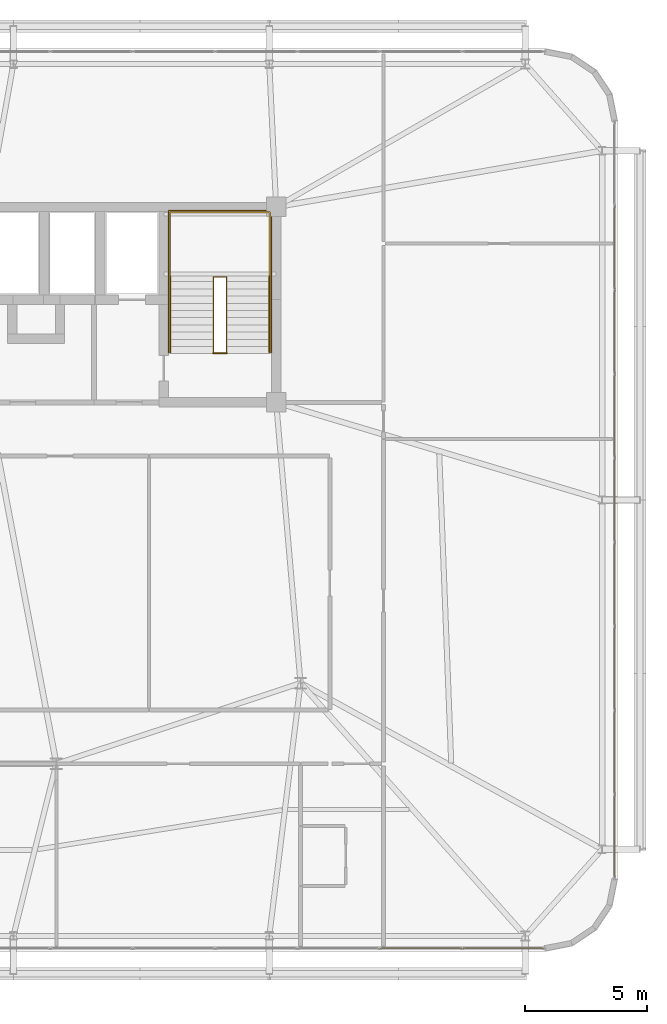
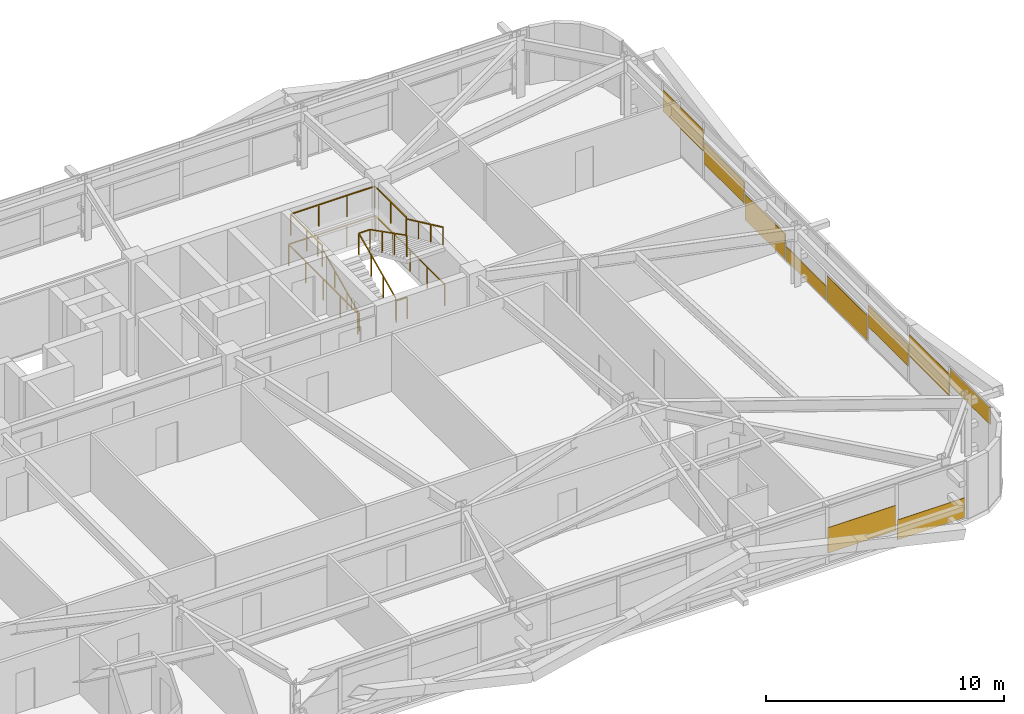
# One storey, part 57 of 58: 10 coverings, 6 railings.
"""IFC4 building model written with IfcOpenShell, lengths in metres."""

from ifc_helpers import new_model, si_unit, direction, frame, origin, origin_2d, place, context, subcontext, project, spatial, rectangle, extrude, source, transform, mapped, material, layer, layer_set, type_object, element, save


model = new_model("IFC4")

# Units and contexts
model_context = context("Model", 3, precision=1e-05, world=origin(), true_north=direction((0.0, 1.0)))
body_context = subcontext(model_context, "Body", "Model", "MODEL_VIEW")
ifc_project = project(units=[si_unit("LENGTHUNIT", "METRE"), si_unit("AREAUNIT", "SQUARE_METRE"), si_unit("VOLUMEUNIT", "CUBIC_METRE"), si_unit("PLANEANGLEUNIT", "RADIAN"), si_unit("MASSUNIT", "GRAM", prefix="KILO")], contexts=[model_context])

# Site, building, storey
site_placement = place(None, origin())
site = spatial("IfcSite", under=ifc_project, at=site_placement, CompositionType="ELEMENT")
building_placement = place(site_placement, origin())
building = spatial("IfcBuilding", under=site, at=building_placement, Name="Taldren Reach Tower", CompositionType="ELEMENT")
storey_placement = place(building_placement, frame((0.0, 0.0, 32.550048828125)))
storey = spatial("IfcBuildingStorey", under=building, at=storey_placement, Name="L09", CompositionType="ELEMENT", Elevation=32.550048828125)

# Railings
ifc_material_1 = material(Name="Steel Gr 350 (C350L0)", Category="steel")
ifc_layer_1 = layer(ifc_material_1, 0.050048828125)
ifc_layer_set_1 = layer_set([ifc_layer_1], Name="Steel Gr 350 (C350L0)")
railing_type_1 = type_object("IfcRailingType", Name="RL-STAIR-GR", PredefinedType="GUARDRAIL", material=ifc_layer_set_1)
railing_1_placement = place(storey_placement, frame((46.659912109375, 29.135009765625, 1.574951171875)))
element("IfcRailing", 1, at=railing_1_placement, inside=storey, type_object=railing_type_1, Name="Stair half-landing perimeter guard ST2-L09", PredefinedType="GUARDRAIL", context=body_context, shape_type="SweptSolid", body=[
    extrude(rectangle(XDim=0.047852, YDim=0.047852, at=origin_2d()), frame((0.0, 0.0, 1.09619140625), z_axis=(0.0, 1.0, 0.0), x_axis=(-1.0, 0.0, 0.0)), (0.0, 0.0, 1.0), 2.64501953125),
    extrude(rectangle(XDim=0.047852, YDim=0.047852, at=origin_2d()), frame((0.0, 2.64501953125, 1.09619140625), z_axis=(1.0, 0.0, 0.0), x_axis=(0.0, 1.0, 0.0)), (0.0, 0.0, 1.0), 4.080078125),
    extrude(rectangle(XDim=0.047852, YDim=0.047852, at=origin_2d()), frame((4.080078125, 2.64501953125, 1.09619140625), z_axis=(0.0, -1.0, 0.0), x_axis=(1.0, 0.0, 0.0)), (0.0, 0.0, 1.0), 2.64501953125),
    extrude(rectangle(XDim=0.041992, YDim=0.041992, at=origin_2d()), origin(), (0.0, 0.0, 1.0), 1.072021484375),
    extrude(rectangle(XDim=0.041992, YDim=0.041992, at=origin_2d()), frame((0.0, 1.322509765625, 0.0)), (0.0, 0.0, 1.0), 1.072021484375),
    extrude(rectangle(XDim=0.041992, YDim=0.041992, at=origin_2d()), frame((0.0, 2.64501953125, 0.0)), (0.0, 0.0, 1.0), 1.072021484375),
    extrude(rectangle(XDim=0.041992, YDim=0.041992, at=origin_2d()), frame((1.360107421875, 2.64501953125, 0.0)), (0.0, 0.0, 1.0), 1.072021484375),
    extrude(rectangle(XDim=0.041992, YDim=0.041992, at=origin_2d()), frame((2.719970703125, 2.64501953125, 0.0)), (0.0, 0.0, 1.0), 1.072021484375),
    extrude(rectangle(XDim=0.041992, YDim=0.041992, at=origin_2d()), frame((4.080078125, 2.64501953125, 0.0)), (0.0, 0.0, 1.0), 1.072021484375),
    extrude(rectangle(XDim=0.041992, YDim=0.041992, at=origin_2d()), frame((4.080078125, 1.322509765625, 0.0)), (0.0, 0.0, 1.0), 1.072021484375),
    extrude(rectangle(XDim=0.041992, YDim=0.041992, at=origin_2d()), frame((4.080078125, 0.0, 0.0)), (0.0, 0.0, 1.0), 1.072021484375),
])
railing_2_placement = place(storey_placement, frame((48.429931640625, 26.050048828125, 0.131103515625)))
element("IfcRailing", 2, at=railing_2_placement, inside=storey, type_object=railing_type_1, Name="Stairwell inner guard ST2-L09", PredefinedType="GUARDRAIL", context=body_context, shape_type="SweptSolid", body=[
    extrude(rectangle(XDim=0.047852, YDim=0.047852, at=origin_2d()), frame((0.0, 0.0, 1.09619140625), z_axis=(0.0, 0.905710134349, 0.423897573167), x_axis=(-1.0, 0.0, 0.0)), (0.0, 0.0, 1.0), 3.406005859375),
    extrude(rectangle(XDim=0.047852, YDim=0.047852, at=origin_2d()), frame((0.0, 3.0849609375, 2.5400390625), z_axis=(1.0, 0.0, 0.0), x_axis=(0.0, 1.0, 0.0)), (0.0, 0.0, 1.0), 0.5400390625),
    extrude(rectangle(XDim=0.047852, YDim=0.047852, at=origin_2d()), frame((0.5400390625, 3.0849609375, 2.5400390625), z_axis=(0.0, -0.890645957773, 0.45469745755), x_axis=(1.0, 0.0, 0.0)), (0.0, 0.0, 1.0), 3.463623046875),
    extrude(rectangle(XDim=0.041992, YDim=0.041992, at=origin_2d()), origin(), (0.0, 0.0, 1.0), 1.072021484375),
    extrude(rectangle(XDim=0.041992, YDim=0.041992, at=origin_2d()), frame((0.0, 1.0283203125, 0.481201171875)), (0.0, 0.0, 1.0), 1.072021484375),
    extrude(rectangle(XDim=0.041992, YDim=0.041992, at=origin_2d()), frame((0.0, 2.056640625, 0.962646484375)), (0.0, 0.0, 1.0), 1.072021484375),
    extrude(rectangle(XDim=0.041992, YDim=0.041992, at=origin_2d()), frame((0.0, 3.0849609375, 1.44384765625)), (0.0, 0.0, 1.0), 1.072021484375),
    extrude(rectangle(XDim=0.041992, YDim=0.041992, at=origin_2d()), frame((0.5400390625, 3.0849609375, 1.44384765625)), (0.0, 0.0, 1.0), 1.072021484375),
    extrude(rectangle(XDim=0.041992, YDim=0.041992, at=origin_2d()), frame((0.5400390625, 2.056640625, 1.96875)), (0.0, 0.0, 1.0), 1.072021484375),
    extrude(rectangle(XDim=0.041992, YDim=0.041992, at=origin_2d()), frame((0.5400390625, 1.0283203125, 2.493896484375)), (0.0, 0.0, 1.0), 1.072021484375),
    extrude(rectangle(XDim=0.041992, YDim=0.041992, at=origin_2d()), frame((0.5400390625, 0.0, 3.018798828125)), (0.0, 0.0, 1.0), 1.072021484375),
])
railing_3_placement = place(storey_placement, frame((48.429931640625, 26.010009765625, 0.0)))
element("IfcRailing", 3, at=railing_3_placement, inside=storey, type_object=railing_type_1, Name="Stairwell landing slot guard ST2-L09", PredefinedType="GUARDRAIL", context=body_context, shape_type="SweptSolid", body=[
    extrude(rectangle(XDim=0.047852, YDim=0.047852, at=origin_2d()), frame((0.0, 0.0, 1.09619140625), z_axis=(1.0, 0.0, 0.0), x_axis=(0.0, 1.0, 0.0)), (0.0, 0.0, 1.0), 0.5400390625),
    extrude(rectangle(XDim=0.041992, YDim=0.041992, at=origin_2d()), origin(), (0.0, 0.0, 1.0), 1.072021484375),
    extrude(rectangle(XDim=0.041992, YDim=0.041992, at=origin_2d()), frame((0.5400390625, 0.0, 0.0)), (0.0, 0.0, 1.0), 1.072021484375),
])
railing_4_placement = place(storey_placement, frame((46.590087890625, 26.050048828125, 0.0)))
element("IfcRailing", 4, at=railing_4_placement, inside=storey, type_object=railing_type_1, Name="Stairwell floor opening guard ST2-L09", PredefinedType="GUARDRAIL", context=body_context, shape_type="SweptSolid", body=[
    extrude(rectangle(XDim=0.047852, YDim=0.047852, at=origin_2d()), frame((0.0, 0.0, 1.09619140625), z_axis=(0.0, 1.0, 0.0), x_axis=(-1.0, 0.0, 0.0)), (0.0, 0.0, 1.0), 5.800048828125),
    extrude(rectangle(XDim=0.047852, YDim=0.047852, at=origin_2d()), frame((0.0, 5.800048828125, 1.09619140625), z_axis=(1.0, 0.0, 0.0), x_axis=(0.0, 1.0, 0.0)), (0.0, 0.0, 1.0), 4.219970703125),
    extrude(rectangle(XDim=0.047852, YDim=0.047852, at=origin_2d()), frame((4.219970703125, 5.800048828125, 1.09619140625), z_axis=(0.0, -1.0, 0.0), x_axis=(1.0, 0.0, 0.0)), (0.0, 0.0, 1.0), 5.800048828125),
    extrude(rectangle(XDim=0.041992, YDim=0.041992, at=origin_2d()), origin(), (0.0, 0.0, 1.0), 1.072021484375),
    extrude(rectangle(XDim=0.041992, YDim=0.041992, at=origin_2d()), frame((0.0, 1.449951171875, 0.0)), (0.0, 0.0, 1.0), 1.072021484375),
    extrude(rectangle(XDim=0.041992, YDim=0.041992, at=origin_2d()), frame((0.0, 2.89990234375, 0.0)), (0.0, 0.0, 1.0), 1.072021484375),
    extrude(rectangle(XDim=0.041992, YDim=0.041992, at=origin_2d()), frame((0.0, 4.35009765625, 0.0)), (0.0, 0.0, 1.0), 1.072021484375),
    extrude(rectangle(XDim=0.041992, YDim=0.041992, at=origin_2d()), frame((0.0, 5.800048828125, 0.0)), (0.0, 0.0, 1.0), 1.072021484375),
    extrude(rectangle(XDim=0.041992, YDim=0.041992, at=origin_2d()), frame((1.40673828125, 5.800048828125, 0.0)), (0.0, 0.0, 1.0), 1.072021484375),
    extrude(rectangle(XDim=0.041992, YDim=0.041992, at=origin_2d()), frame((2.813232421875, 5.800048828125, 0.0)), (0.0, 0.0, 1.0), 1.072021484375),
    extrude(rectangle(XDim=0.041992, YDim=0.041992, at=origin_2d()), frame((4.219970703125, 5.800048828125, 0.0)), (0.0, 0.0, 1.0), 1.072021484375),
    extrude(rectangle(XDim=0.041992, YDim=0.041992, at=origin_2d()), frame((4.219970703125, 4.35009765625, 0.0)), (0.0, 0.0, 1.0), 1.072021484375),
    extrude(rectangle(XDim=0.041992, YDim=0.041992, at=origin_2d()), frame((4.219970703125, 2.89990234375, 0.0)), (0.0, 0.0, 1.0), 1.072021484375),
    extrude(rectangle(XDim=0.041992, YDim=0.041992, at=origin_2d()), frame((4.219970703125, 1.449951171875, 0.0)), (0.0, 0.0, 1.0), 1.072021484375),
    extrude(rectangle(XDim=0.041992, YDim=0.041992, at=origin_2d()), frame((4.219970703125, 0.0, 0.0)), (0.0, 0.0, 1.0), 1.072021484375),
])
ifc_material_2 = material(Name="Stainless Steel Gr 316", Category="steel")
ifc_layer_2 = layer(ifc_material_2, 0.048095703125)
ifc_layer_set_2 = layer_set([ifc_layer_2], Name="Stainless Steel Gr 316")
railing_type_2 = type_object("IfcRailingType", Name="RL-STAIR-HR", PredefinedType="HANDRAIL", material=ifc_layer_set_2)
railing_5_placement = place(storey_placement, frame((46.669921875, 26.050048828125, 0.131103515625)))
element("IfcRailing", 5, at=railing_5_placement, inside=storey, type_object=railing_type_2, Name="Stair flight handrail ST2-L09-1", PredefinedType="HANDRAIL", context=body_context, shape_type="SweptSolid", body=[
    extrude(rectangle(XDim=0.047852, YDim=0.047852, at=origin_2d()), frame((0.0, 0.0, 0.89599609375), z_axis=(0.0, 0.905710134349, 0.423897573167), x_axis=(-1.0, 0.0, 0.0)), (0.0, 0.0, 1.0), 3.406005859375),
    extrude(rectangle(XDim=0.041992, YDim=0.041992, at=origin_2d()), origin(), (0.0, 0.0, 1.0), 0.871826171875),
    extrude(rectangle(XDim=0.041992, YDim=0.041992, at=origin_2d()), frame((0.0, 1.0283203125, 0.481201171875)), (0.0, 0.0, 1.0), 0.871826171875),
    extrude(rectangle(XDim=0.041992, YDim=0.041992, at=origin_2d()), frame((0.0, 2.056640625, 0.962646484375)), (0.0, 0.0, 1.0), 0.871826171875),
    extrude(rectangle(XDim=0.041992, YDim=0.041992, at=origin_2d()), frame((0.0, 3.0849609375, 1.44384765625)), (0.0, 0.0, 1.0), 0.871826171875),
])
railing_6_placement = place(storey_placement, frame((50.72998046875, 29.135009765625, 1.706298828125)))
element("IfcRailing", 6, at=railing_6_placement, inside=storey, type_object=railing_type_2, Name="Stair flight handrail ST2-L09-2", PredefinedType="HANDRAIL", context=body_context, shape_type="SweptSolid", body=[
    extrude(rectangle(XDim=0.047852, YDim=0.047852, at=origin_2d()), frame((0.0, 0.0, 0.89599609375), z_axis=(0.0, -0.905737652094, 0.423838773095), x_axis=(1.0, 0.0, 0.0)), (0.0, 0.0, 1.0), 3.406005859375),
    extrude(rectangle(XDim=0.041992, YDim=0.041992, at=origin_2d()), origin(), (0.0, 0.0, 1.0), 0.871826171875),
    extrude(rectangle(XDim=0.041992, YDim=0.041992, at=origin_2d()), frame((0.0, -1.0283203125, 0.481201171875)), (0.0, 0.0, 1.0), 0.871826171875),
    extrude(rectangle(XDim=0.041992, YDim=0.041992, at=origin_2d()), frame((0.0, -2.056640625, 0.96240234375)), (0.0, 0.0, 1.0), 0.871826171875),
    extrude(rectangle(XDim=0.041992, YDim=0.041992, at=origin_2d()), frame((0.0, -3.0849609375, 1.443603515625)), (0.0, 0.0, 1.0), 0.871826171875),
])

# Coverings
ifc_material_3 = material(Name="Pale Champagne Fluoropolymer Aluminium Spandrel Cladding", Category="aluminium")
ifc_layer_3 = layer(ifc_material_3, 0.0439453125)
ifc_layer_set_3 = layer_set([ifc_layer_3], Name="Pale Champagne Fluoropolymer Aluminium Spandrel Cladding")
covering_type = type_object("IfcCoveringType", Name="CV-CLAD-044", PredefinedType="CLADDING", material=ifc_layer_set_3)
shared_shape_1 = source(origin(), body_context, "Body", "SweptSolid", [
    extrude(rectangle(XDim=3.31005859375, YDim=0.0439453125, at=origin_2d()), origin(), (0.0, 0.0, 1.0), 1.301025390625),
])
covering_1_placement = place(storey_placement, frame((56.9375, 1.639892578125, 0.5576171875), z_axis=(0.0, 0.0, 1.0), x_axis=(1.0, 0.0, 0.0)))
element("IfcCovering", 7, at=covering_1_placement, inside=storey, type_object=covering_type, Name="Diagrid closure cladding strip CW-2 panel 15.1 1", PredefinedType="CLADDING", context=body_context, shape_type="MappedRepresentation", body=[
    mapped(shared_shape_1, transform((0.0, 0.0, 0.0), scale=1.0)),
])
shared_shape_2 = source(origin(), body_context, "Body", "SweptSolid", [
    extrude(rectangle(XDim=3.277587890625, YDim=0.0439453125, at=origin_2d()), origin(), (0.0, 0.0, 1.0), 1.021240234375),
])
covering_2_placement = place(storey_placement, frame((60.296142578125, 1.639892578125, 0.05517578125), z_axis=(0.0, 0.0, 1.0), x_axis=(1.0, 0.0, 0.0)))
element("IfcCovering", 8, at=covering_2_placement, inside=storey, type_object=covering_type, Name="Diagrid closure cladding strip CW-2 panel 16.1 1", PredefinedType="CLADDING", context=body_context, shape_type="MappedRepresentation", body=[
    mapped(shared_shape_2, transform((0.0, 0.0, 0.0), scale=1.0)),
])
shared_shape_3 = source(origin(), body_context, "Body", "SweptSolid", [
    extrude(rectangle(XDim=3.346923828125, YDim=0.0439453125, at=origin_2d()), origin(), (0.0, 0.0, 1.0), 0.864501953125),
])
covering_3_placement = place(storey_placement, frame((64.860107421875, 6.238525390625, 2.01025390625), z_axis=(0.0, 0.0, 1.0), x_axis=(0.0, 1.0, 0.0)))
element("IfcCovering", 9, at=covering_3_placement, inside=storey, type_object=covering_type, Name="Diagrid closure cladding strip CW-2 panel 1.1 1", PredefinedType="CLADDING", context=body_context, shape_type="MappedRepresentation", body=[
    mapped(shared_shape_3, transform((0.0, 0.0, 0.0), scale=1.0)),
])
shared_shape_4 = source(origin(), body_context, "Body", "SweptSolid", [
    extrude(rectangle(XDim=3.37939453125, YDim=0.0439453125, at=origin_2d()), origin(), (0.0, 0.0, 1.0), 1.1015625),
])
for number, where, z_axis, x_axis, name in (
    (10, (64.860107421875, 9.666748046875, 1.425048828125), (0.0, 0.0, 1.0), (0.0, 1.0, 0.0), "Diagrid closure cladding strip CW-2 panel 2.1 1"),
    (11, (64.860107421875, 13.111083984375, 0.83984375), (0.0, 0.0, 1.0), (0.0, 1.0, 0.0), "Diagrid closure cladding strip CW-2 panel 3.1 1"),
    (12, (64.860107421875, 26.888916015625, 0.83984375), (0.0, 0.0, 1.0), (0.0, 1.0, 0.0), "Diagrid closure cladding strip CW-2 panel 7.1 1"),
    (13, (64.860107421875, 30.333251953125, 1.425048828125), (0.0, 0.0, 1.0), (0.0, 1.0, 0.0), "Diagrid closure cladding strip CW-2 panel 8.1 1"),
):
    element("IfcCovering", number, at=place(storey_placement, frame(where, z_axis=z_axis, x_axis=x_axis)), inside=storey, type_object=covering_type, Name=name, PredefinedType="CLADDING", context=body_context, shape_type="MappedRepresentation", body=[
        mapped(shared_shape_4, transform((0.0, 0.0, 0.0), scale=1.0)),
    ])
shared_shape_5 = source(origin(), body_context, "Body", "SweptSolid", [
    extrude(rectangle(XDim=3.37939453125, YDim=0.0439453125, at=origin_2d()), origin(), (0.0, 0.0, 1.0), 1.301025390625),
])
for number, where, z_axis, x_axis, name in (
    (14, (64.860107421875, 16.5556640625, 0.05517578125), (0.0, 0.0, 1.0), (0.0, 1.0, 0.0), "Diagrid closure cladding strip CW-2 panel 4.1 1"),
    (15, (64.860107421875, 23.4443359375, 0.05517578125), (0.0, 0.0, 1.0), (0.0, 1.0, 0.0), "Diagrid closure cladding strip CW-2 panel 6.1 1"),
):
    element("IfcCovering", number, at=place(storey_placement, frame(where, z_axis=z_axis, x_axis=x_axis)), inside=storey, type_object=covering_type, Name=name, PredefinedType="CLADDING", context=body_context, shape_type="MappedRepresentation", body=[
        mapped(shared_shape_5, transform((0.0, 0.0, 0.0), scale=1.0)),
    ])
shared_shape_6 = source(origin(), body_context, "Body", "SweptSolid", [
    extrude(rectangle(XDim=3.37939453125, YDim=0.0439453125, at=origin_2d()), origin(), (0.0, 0.0, 1.0), 0.7158203125),
])
covering_4_placement = place(storey_placement, frame((64.860107421875, 20.0, 0.054931640625), z_axis=(0.0, 0.0, 1.0), x_axis=(0.0, 1.0, 0.0)))
element("IfcCovering", 16, at=covering_4_placement, inside=storey, type_object=covering_type, Name="Diagrid closure cladding strip CW-2 panel 5.1 1", PredefinedType="CLADDING", context=body_context, shape_type="MappedRepresentation", body=[
    mapped(shared_shape_6, transform((0.0, 0.0, 0.0), scale=1.0)),
])

save(model, "model.ifc")
